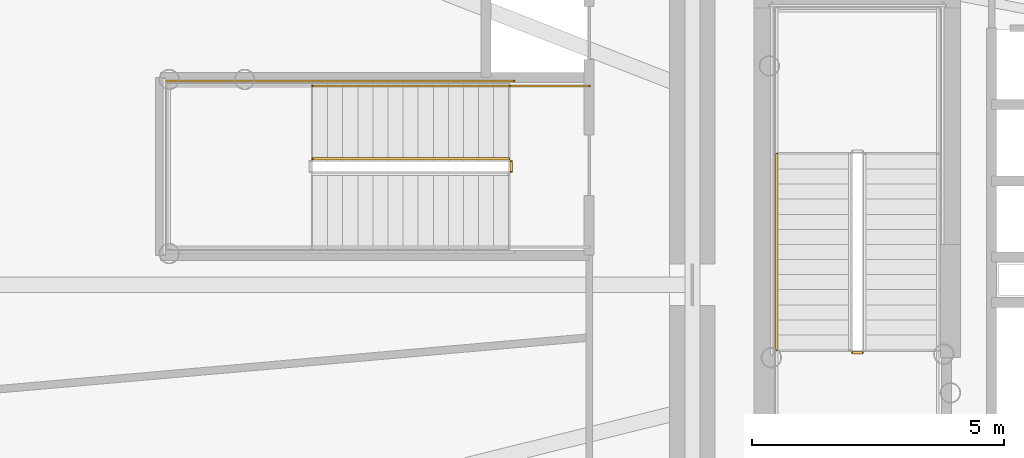
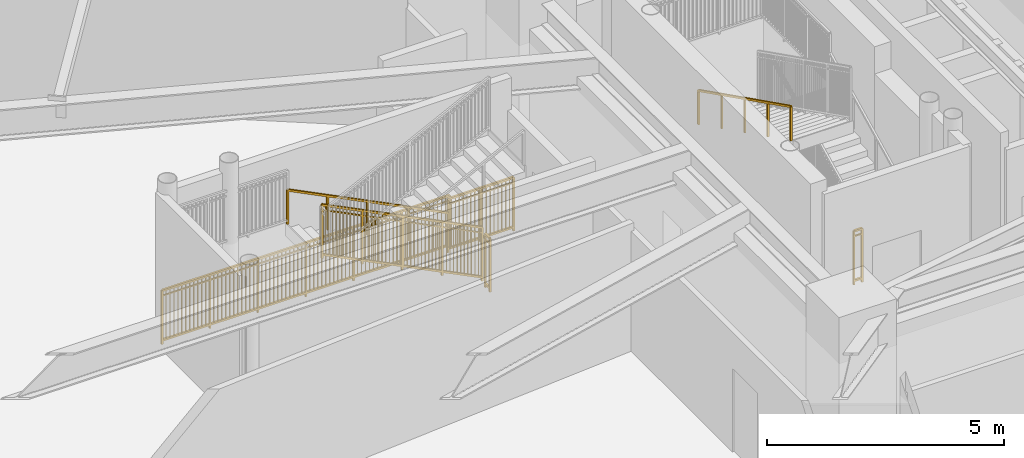
# One storey, part 22 of 30: 7 railings.
"""IFC4 building model written with IfcOpenShell, lengths in metres."""

from ifc_helpers import new_model, si_unit, direction, frame, origin, origin_2d, place, context, subcontext, project, spatial, rectangle, extrude, source, transform, mapped, material, type_object, element, save


model = new_model("IFC4")

# Units and contexts
model_context = context("Model", 3, precision=1e-05, world=origin(), true_north=direction((0.0, 1.0)))
body_context = subcontext(model_context, "Body", "Model", "MODEL_VIEW")
ifc_project = project(units=[si_unit("LENGTHUNIT", "METRE"), si_unit("AREAUNIT", "SQUARE_METRE"), si_unit("VOLUMEUNIT", "CUBIC_METRE"), si_unit("PLANEANGLEUNIT", "RADIAN"), si_unit("MASSUNIT", "GRAM", prefix="KILO")], contexts=[model_context])

# Site, building, storey
site_placement = place(None, origin())
site = spatial("IfcSite", under=ifc_project, at=site_placement, CompositionType="ELEMENT")
building_placement = place(site_placement, origin())
building = spatial("IfcBuilding", under=site, at=building_placement, Name="Linh Dai School and Residence Tower", CompositionType="ELEMENT")
storey_placement = place(building_placement, frame((0.0, 0.0, 10.199951171875)))
storey = spatial("IfcBuildingStorey", under=building, at=storey_placement, Name="L02", CompositionType="ELEMENT", Elevation=10.199951171875)

# Railings
ifc_material_1 = material(Name="Structural Steel S355JR", Category="steel")
railing_type_1 = type_object("IfcRailingType", Name="RL-ST-GUARD-1400", PredefinedType="GUARDRAIL", material=ifc_material_1)
shared_shape_1 = source(origin(), body_context, "Body", "SweptSolid", [
    extrude(rectangle(XDim=0.048095703125, YDim=0.048095703125, at=origin_2d()), frame((0.0, 0.0, 1.3759765625), z_axis=(-1.0, 0.0, 0.0), x_axis=(0.0, -1.0, 0.0)), (0.0, 0.0, 1.0), 0.199951171875),
    extrude(rectangle(XDim=0.048095703125, YDim=0.048095703125, at=origin_2d()), frame((0.0, 0.0, 0.10009765625), z_axis=(-1.0, 0.0, 0.0), x_axis=(0.0, -1.0, 0.0)), (0.0, 0.0, 1.0), 0.199951171875),
    extrude(rectangle(XDim=0.030029296875, YDim=0.030029296875, at=origin_2d()), frame((0.0, 0.0, 1.239990234375), z_axis=(-1.0, 0.0, 0.0), x_axis=(0.0, -1.0, 0.0)), (0.0, 0.0, 1.0), 0.199951171875),
    extrude(rectangle(XDim=0.0419921875, YDim=0.0419921875, at=origin_2d()), origin(), (0.0, 0.0, 1.0), 1.3759765625),
    extrude(rectangle(XDim=0.0419921875, YDim=0.0419921875, at=origin_2d()), frame((-0.199951171875, 0.0, 0.0)), (0.0, 0.0, 1.0), 1.3759765625),
])
railing_1_placement = place(storey_placement, frame((29.429931640625, 25.64990234375, 0.0)))
element("IfcRailing", 1, at=railing_1_placement, inside=storey, type_object=railing_type_1, Name="L02 ST1 stair guard 7", PredefinedType="GUARDRAIL", context=body_context, shape_type="MappedRepresentation", body=[
    mapped(shared_shape_1, transform((0.0, 0.0, 0.0), x_axis=(1.0, 0.0, 0.0), y_axis=(0.0, 1.0, 0.0), z_axis=(0.0, 0.0, 1.0), scale=1.0)),
])
ifc_material_2 = material(Name="Brushed Stainless Steel Handrail", Category="steel")
railing_type_2 = type_object("IfcRailingType", Name="RL-ST-HANDRAIL-900", PredefinedType="HANDRAIL", material=ifc_material_2)
shared_shape_2 = source(origin(), body_context, "Body", "SweptSolid", [
    extrude(rectangle(XDim=0.048095703125, YDim=0.048095703125, at=origin_2d()), frame((0.0, 0.0, 0.8759765625), z_axis=(0.0, -0.894438388696, 0.447191199406), x_axis=(1.0, 0.0, 0.0)), (0.0, 0.0, 1.0), 4.3603515625),
    extrude(rectangle(XDim=0.0419921875, YDim=0.0419921875, at=origin_2d()), origin(), (0.0, 0.0, 1.0), 0.8759765625),
    extrude(rectangle(XDim=0.0419921875, YDim=0.0419921875, at=origin_2d()), frame((0.0, -0.97509765625, 0.487548828125)), (0.0, 0.0, 1.0), 0.8759765625),
    extrude(rectangle(XDim=0.0419921875, YDim=0.0419921875, at=origin_2d()), frame((0.0, -1.9501953125, 0.97509765625)), (0.0, 0.0, 1.0), 0.8759765625),
    extrude(rectangle(XDim=0.0419921875, YDim=0.0419921875, at=origin_2d()), frame((0.0, -2.925048828125, 1.46240234375)), (0.0, 0.0, 1.0), 0.8759765625),
    extrude(rectangle(XDim=0.0419921875, YDim=0.0419921875, at=origin_2d()), frame((0.0, -3.900146484375, 1.949951171875)), (0.0, 0.0, 1.0), 0.8759765625),
])
railing_2_placement = place(storey_placement, frame((27.72998046875, 29.60009765625, 2.25)))
element("IfcRailing", 2, at=railing_2_placement, inside=storey, type_object=railing_type_2, Name="L02 ST1 stair handrail 2", PredefinedType="HANDRAIL", context=body_context, shape_type="MappedRepresentation", body=[
    mapped(shared_shape_2, transform((0.0, 0.0, 0.0), x_axis=(1.0, 0.0, 0.0), y_axis=(0.0, 1.0, 0.0), z_axis=(0.0, 0.0, 1.0), scale=1.0)),
])
shared_shape_3 = source(origin(), body_context, "Body", "SweptSolid", [
    extrude(rectangle(XDim=0.048095703125, YDim=0.048095703125, at=origin_2d()), frame((0.0, 0.0, 1.3759765625), z_axis=(0.0, -1.0, 0.0), x_axis=(1.0, 0.0, 0.0)), (0.0, 0.0, 1.0), 0.199951171875),
    extrude(rectangle(XDim=0.048095703125, YDim=0.048095703125, at=origin_2d()), frame((0.0, 0.0, 0.10009765625), z_axis=(0.0, -1.0, 0.0), x_axis=(1.0, 0.0, 0.0)), (0.0, 0.0, 1.0), 0.199951171875),
    extrude(rectangle(XDim=0.030029296875, YDim=0.030029296875, at=origin_2d()), frame((0.0, 0.0, 1.239990234375), z_axis=(0.0, -1.0, 0.0), x_axis=(1.0, 0.0, 0.0)), (0.0, 0.0, 1.0), 0.199951171875),
    extrude(rectangle(XDim=0.0419921875, YDim=0.0419921875, at=origin_2d()), origin(), (0.0, 0.0, 1.0), 1.3759765625),
    extrude(rectangle(XDim=0.0419921875, YDim=0.0419921875, at=origin_2d()), frame((0.0, -0.199951171875, 0.0)), (0.0, 0.0, 1.0), 1.3759765625),
])
railing_3_placement = place(storey_placement, frame((22.449951171875, 29.449951171875, 0.0)))
element("IfcRailing", 3, at=railing_3_placement, inside=storey, type_object=railing_type_1, Name="L02 STS1 stair guard 7", PredefinedType="GUARDRAIL", context=body_context, shape_type="MappedRepresentation", body=[
    mapped(shared_shape_3, transform((0.0, 0.0, 0.0), x_axis=(1.0, 0.0, 0.0), y_axis=(0.0, 1.0, 0.0), z_axis=(0.0, 0.0, 1.0), scale=1.0)),
])
shared_shape_4 = source(origin(), body_context, "Body", "SweptSolid", [
    extrude(rectangle(XDim=0.048095703125, YDim=0.048095703125, at=origin_2d()), frame((0.0, 0.0, 1.3759765625), z_axis=(-1.0, 0.0, 0.0), x_axis=(0.0, -1.0, 0.0)), (0.0, 0.0, 1.0), 1.60009765625),
    extrude(rectangle(XDim=0.048095703125, YDim=0.048095703125, at=origin_2d()), frame((0.0, 0.0, 0.10009765625), z_axis=(-1.0, 0.0, 0.0), x_axis=(0.0, -1.0, 0.0)), (0.0, 0.0, 1.0), 1.60009765625),
    extrude(rectangle(XDim=0.030029296875, YDim=0.030029296875, at=origin_2d()), frame((0.0, 0.0, 1.239990234375), z_axis=(-1.0, 0.0, 0.0), x_axis=(0.0, -1.0, 0.0)), (0.0, 0.0, 1.0), 1.60009765625),
    extrude(rectangle(XDim=0.02001953125, YDim=0.02001953125, at=origin_2d()), frame((-0.09423828125, 0.0, 0.10009765625)), (0.0, 0.0, 1.0), 1.251708984375),
    extrude(rectangle(XDim=0.02001953125, YDim=0.02001953125, at=origin_2d()), frame((-0.188232421875, 0.0, 0.10009765625)), (0.0, 0.0, 1.0), 1.251708984375),
    extrude(rectangle(XDim=0.02001953125, YDim=0.02001953125, at=origin_2d()), frame((-0.282470703125, 0.0, 0.10009765625)), (0.0, 0.0, 1.0), 1.251708984375),
    extrude(rectangle(XDim=0.02001953125, YDim=0.02001953125, at=origin_2d()), frame((-0.37646484375, 0.0, 0.10009765625)), (0.0, 0.0, 1.0), 1.251708984375),
    extrude(rectangle(XDim=0.02001953125, YDim=0.02001953125, at=origin_2d()), frame((-0.470703125, 0.0, 0.10009765625)), (0.0, 0.0, 1.0), 1.251708984375),
    extrude(rectangle(XDim=0.02001953125, YDim=0.02001953125, at=origin_2d()), frame((-0.564697265625, 0.0, 0.10009765625)), (0.0, 0.0, 1.0), 1.251708984375),
    extrude(rectangle(XDim=0.02001953125, YDim=0.02001953125, at=origin_2d()), frame((-0.658935546875, 0.0, 0.10009765625)), (0.0, 0.0, 1.0), 1.251708984375),
    extrude(rectangle(XDim=0.02001953125, YDim=0.02001953125, at=origin_2d()), frame((-0.7529296875, 0.0, 0.10009765625)), (0.0, 0.0, 1.0), 1.251708984375),
    extrude(rectangle(XDim=0.02001953125, YDim=0.02001953125, at=origin_2d()), frame((-0.84716796875, 0.0, 0.10009765625)), (0.0, 0.0, 1.0), 1.251708984375),
    extrude(rectangle(XDim=0.02001953125, YDim=0.02001953125, at=origin_2d()), frame((-0.941162109375, 0.0, 0.10009765625)), (0.0, 0.0, 1.0), 1.251708984375),
    extrude(rectangle(XDim=0.02001953125, YDim=0.02001953125, at=origin_2d()), frame((-1.035400390625, 0.0, 0.10009765625)), (0.0, 0.0, 1.0), 1.251708984375),
    extrude(rectangle(XDim=0.02001953125, YDim=0.02001953125, at=origin_2d()), frame((-1.12939453125, 0.0, 0.10009765625)), (0.0, 0.0, 1.0), 1.251708984375),
    extrude(rectangle(XDim=0.02001953125, YDim=0.02001953125, at=origin_2d()), frame((-1.2236328125, 0.0, 0.10009765625)), (0.0, 0.0, 1.0), 1.251708984375),
    extrude(rectangle(XDim=0.02001953125, YDim=0.02001953125, at=origin_2d()), frame((-1.317626953125, 0.0, 0.10009765625)), (0.0, 0.0, 1.0), 1.251708984375),
    extrude(rectangle(XDim=0.02001953125, YDim=0.02001953125, at=origin_2d()), frame((-1.411865234375, 0.0, 0.10009765625)), (0.0, 0.0, 1.0), 1.251708984375),
    extrude(rectangle(XDim=0.02001953125, YDim=0.02001953125, at=origin_2d()), frame((-1.505859375, 0.0, 0.10009765625)), (0.0, 0.0, 1.0), 1.251708984375),
    extrude(rectangle(XDim=0.0419921875, YDim=0.0419921875, at=origin_2d()), origin(), (0.0, 0.0, 1.0), 1.3759765625),
    extrude(rectangle(XDim=0.0419921875, YDim=0.0419921875, at=origin_2d()), frame((-0.800048828125, 0.0, 0.0)), (0.0, 0.0, 1.0), 1.3759765625),
    extrude(rectangle(XDim=0.0419921875, YDim=0.0419921875, at=origin_2d()), frame((-1.60009765625, 0.0, 0.0)), (0.0, 0.0, 1.0), 1.3759765625),
])
railing_4_placement = place(storey_placement, frame((24.0, 30.949951171875, 0.0)))
element("IfcRailing", 4, at=railing_4_placement, inside=storey, type_object=railing_type_1, Name="L02 STS1 stair guard 8", PredefinedType="GUARDRAIL", context=body_context, shape_type="MappedRepresentation", body=[
    mapped(shared_shape_4, transform((0.0, 0.0, 0.0), x_axis=(1.0, 0.0, 0.0), y_axis=(0.0, 1.0, 0.0), z_axis=(0.0, 0.0, 1.0), scale=1.0)),
])
shared_shape_5 = source(origin(), body_context, "Body", "SweptSolid", [
    extrude(rectangle(XDim=0.048095703125, YDim=0.048095703125, at=origin_2d()), frame((0.0, 0.0, 1.3759765625), z_axis=(-1.0, 0.0, 0.0), x_axis=(0.0, -1.0, 0.0)), (0.0, 0.0, 1.0), 7.0),
    extrude(rectangle(XDim=0.048095703125, YDim=0.048095703125, at=origin_2d()), frame((0.0, 0.0, 0.10009765625), z_axis=(-1.0, 0.0, 0.0), x_axis=(0.0, -1.0, 0.0)), (0.0, 0.0, 1.0), 7.0),
    extrude(rectangle(XDim=0.030029296875, YDim=0.030029296875, at=origin_2d()), frame((0.0, 0.0, 1.239990234375), z_axis=(-1.0, 0.0, 0.0), x_axis=(0.0, -1.0, 0.0)), (0.0, 0.0, 1.0), 7.0),
    extrude(rectangle(XDim=0.02001953125, YDim=0.02001953125, at=origin_2d()), frame((-0.09716796875, 0.0, 0.10009765625)), (0.0, 0.0, 1.0), 1.251708984375),
    extrude(rectangle(XDim=0.02001953125, YDim=0.02001953125, at=origin_2d()), frame((-0.1943359375, 0.0, 0.10009765625)), (0.0, 0.0, 1.0), 1.251708984375),
    extrude(rectangle(XDim=0.02001953125, YDim=0.02001953125, at=origin_2d()), frame((-0.291748046875, 0.0, 0.10009765625)), (0.0, 0.0, 1.0), 1.251708984375),
    extrude(rectangle(XDim=0.02001953125, YDim=0.02001953125, at=origin_2d()), frame((-0.388916015625, 0.0, 0.10009765625)), (0.0, 0.0, 1.0), 1.251708984375),
    extrude(rectangle(XDim=0.02001953125, YDim=0.02001953125, at=origin_2d()), frame((-0.486083984375, 0.0, 0.10009765625)), (0.0, 0.0, 1.0), 1.251708984375),
    extrude(rectangle(XDim=0.02001953125, YDim=0.02001953125, at=origin_2d()), frame((-0.583251953125, 0.0, 0.10009765625)), (0.0, 0.0, 1.0), 1.251708984375),
    extrude(rectangle(XDim=0.02001953125, YDim=0.02001953125, at=origin_2d()), frame((-0.6806640625, 0.0, 0.10009765625)), (0.0, 0.0, 1.0), 1.251708984375),
    extrude(rectangle(XDim=0.02001953125, YDim=0.02001953125, at=origin_2d()), frame((-0.77783203125, 0.0, 0.10009765625)), (0.0, 0.0, 1.0), 1.251708984375),
    extrude(rectangle(XDim=0.02001953125, YDim=0.02001953125, at=origin_2d()), frame((-0.875, 0.0, 0.10009765625)), (0.0, 0.0, 1.0), 1.251708984375),
    extrude(rectangle(XDim=0.02001953125, YDim=0.02001953125, at=origin_2d()), frame((-0.97216796875, 0.0, 0.10009765625)), (0.0, 0.0, 1.0), 1.251708984375),
    extrude(rectangle(XDim=0.02001953125, YDim=0.02001953125, at=origin_2d()), frame((-1.0693359375, 0.0, 0.10009765625)), (0.0, 0.0, 1.0), 1.251708984375),
    extrude(rectangle(XDim=0.02001953125, YDim=0.02001953125, at=origin_2d()), frame((-1.263916015625, 0.0, 0.10009765625)), (0.0, 0.0, 1.0), 1.251708984375),
    extrude(rectangle(XDim=0.02001953125, YDim=0.02001953125, at=origin_2d()), frame((-1.361083984375, 0.0, 0.10009765625)), (0.0, 0.0, 1.0), 1.251708984375),
    extrude(rectangle(XDim=0.02001953125, YDim=0.02001953125, at=origin_2d()), frame((-1.458251953125, 0.0, 0.10009765625)), (0.0, 0.0, 1.0), 1.251708984375),
    extrude(rectangle(XDim=0.02001953125, YDim=0.02001953125, at=origin_2d()), frame((-1.5556640625, 0.0, 0.10009765625)), (0.0, 0.0, 1.0), 1.251708984375),
    extrude(rectangle(XDim=0.02001953125, YDim=0.02001953125, at=origin_2d()), frame((-1.65283203125, 0.0, 0.10009765625)), (0.0, 0.0, 1.0), 1.251708984375),
    extrude(rectangle(XDim=0.02001953125, YDim=0.02001953125, at=origin_2d()), frame((-1.75, 0.0, 0.10009765625)), (0.0, 0.0, 1.0), 1.251708984375),
    extrude(rectangle(XDim=0.02001953125, YDim=0.02001953125, at=origin_2d()), frame((-1.84716796875, 0.0, 0.10009765625)), (0.0, 0.0, 1.0), 1.251708984375),
    extrude(rectangle(XDim=0.02001953125, YDim=0.02001953125, at=origin_2d()), frame((-1.9443359375, 0.0, 0.10009765625)), (0.0, 0.0, 1.0), 1.251708984375),
    extrude(rectangle(XDim=0.02001953125, YDim=0.02001953125, at=origin_2d()), frame((-2.041748046875, 0.0, 0.10009765625)), (0.0, 0.0, 1.0), 1.251708984375),
    extrude(rectangle(XDim=0.02001953125, YDim=0.02001953125, at=origin_2d()), frame((-2.138916015625, 0.0, 0.10009765625)), (0.0, 0.0, 1.0), 1.251708984375),
    extrude(rectangle(XDim=0.02001953125, YDim=0.02001953125, at=origin_2d()), frame((-2.236083984375, 0.0, 0.10009765625)), (0.0, 0.0, 1.0), 1.251708984375),
    extrude(rectangle(XDim=0.02001953125, YDim=0.02001953125, at=origin_2d()), frame((-2.4306640625, 0.0, 0.10009765625)), (0.0, 0.0, 1.0), 1.251708984375),
    extrude(rectangle(XDim=0.02001953125, YDim=0.02001953125, at=origin_2d()), frame((-2.52783203125, 0.0, 0.10009765625)), (0.0, 0.0, 1.0), 1.251708984375),
    extrude(rectangle(XDim=0.02001953125, YDim=0.02001953125, at=origin_2d()), frame((-2.625, 0.0, 0.10009765625)), (0.0, 0.0, 1.0), 1.251708984375),
    extrude(rectangle(XDim=0.02001953125, YDim=0.02001953125, at=origin_2d()), frame((-2.72216796875, 0.0, 0.10009765625)), (0.0, 0.0, 1.0), 1.251708984375),
    extrude(rectangle(XDim=0.02001953125, YDim=0.02001953125, at=origin_2d()), frame((-2.8193359375, 0.0, 0.10009765625)), (0.0, 0.0, 1.0), 1.251708984375),
    extrude(rectangle(XDim=0.02001953125, YDim=0.02001953125, at=origin_2d()), frame((-2.916748046875, 0.0, 0.10009765625)), (0.0, 0.0, 1.0), 1.251708984375),
    extrude(rectangle(XDim=0.02001953125, YDim=0.02001953125, at=origin_2d()), frame((-3.013916015625, 0.0, 0.10009765625)), (0.0, 0.0, 1.0), 1.251708984375),
    extrude(rectangle(XDim=0.02001953125, YDim=0.02001953125, at=origin_2d()), frame((-3.111083984375, 0.0, 0.10009765625)), (0.0, 0.0, 1.0), 1.251708984375),
    extrude(rectangle(XDim=0.02001953125, YDim=0.02001953125, at=origin_2d()), frame((-3.208251953125, 0.0, 0.10009765625)), (0.0, 0.0, 1.0), 1.251708984375),
    extrude(rectangle(XDim=0.02001953125, YDim=0.02001953125, at=origin_2d()), frame((-3.3056640625, 0.0, 0.10009765625)), (0.0, 0.0, 1.0), 1.251708984375),
    extrude(rectangle(XDim=0.02001953125, YDim=0.02001953125, at=origin_2d()), frame((-3.40283203125, 0.0, 0.10009765625)), (0.0, 0.0, 1.0), 1.251708984375),
    extrude(rectangle(XDim=0.02001953125, YDim=0.02001953125, at=origin_2d()), frame((-3.59716796875, 0.0, 0.10009765625)), (0.0, 0.0, 1.0), 1.251708984375),
    extrude(rectangle(XDim=0.02001953125, YDim=0.02001953125, at=origin_2d()), frame((-3.6943359375, 0.0, 0.10009765625)), (0.0, 0.0, 1.0), 1.251708984375),
    extrude(rectangle(XDim=0.02001953125, YDim=0.02001953125, at=origin_2d()), frame((-3.791748046875, 0.0, 0.10009765625)), (0.0, 0.0, 1.0), 1.251708984375),
    extrude(rectangle(XDim=0.02001953125, YDim=0.02001953125, at=origin_2d()), frame((-3.888916015625, 0.0, 0.10009765625)), (0.0, 0.0, 1.0), 1.251708984375),
    extrude(rectangle(XDim=0.02001953125, YDim=0.02001953125, at=origin_2d()), frame((-3.986083984375, 0.0, 0.10009765625)), (0.0, 0.0, 1.0), 1.251708984375),
    extrude(rectangle(XDim=0.02001953125, YDim=0.02001953125, at=origin_2d()), frame((-4.083251953125, 0.0, 0.10009765625)), (0.0, 0.0, 1.0), 1.251708984375),
    extrude(rectangle(XDim=0.02001953125, YDim=0.02001953125, at=origin_2d()), frame((-4.1806640625, 0.0, 0.10009765625)), (0.0, 0.0, 1.0), 1.251708984375),
    extrude(rectangle(XDim=0.02001953125, YDim=0.02001953125, at=origin_2d()), frame((-4.27783203125, 0.0, 0.10009765625)), (0.0, 0.0, 1.0), 1.251708984375),
    extrude(rectangle(XDim=0.02001953125, YDim=0.02001953125, at=origin_2d()), frame((-4.375, 0.0, 0.10009765625)), (0.0, 0.0, 1.0), 1.251708984375),
    extrude(rectangle(XDim=0.02001953125, YDim=0.02001953125, at=origin_2d()), frame((-4.47216796875, 0.0, 0.10009765625)), (0.0, 0.0, 1.0), 1.251708984375),
    extrude(rectangle(XDim=0.02001953125, YDim=0.02001953125, at=origin_2d()), frame((-4.5693359375, 0.0, 0.10009765625)), (0.0, 0.0, 1.0), 1.251708984375),
    extrude(rectangle(XDim=0.02001953125, YDim=0.02001953125, at=origin_2d()), frame((-4.763916015625, 0.0, 0.10009765625)), (0.0, 0.0, 1.0), 1.251708984375),
    extrude(rectangle(XDim=0.02001953125, YDim=0.02001953125, at=origin_2d()), frame((-4.861083984375, 0.0, 0.10009765625)), (0.0, 0.0, 1.0), 1.251708984375),
    extrude(rectangle(XDim=0.02001953125, YDim=0.02001953125, at=origin_2d()), frame((-4.958251953125, 0.0, 0.10009765625)), (0.0, 0.0, 1.0), 1.251708984375),
    extrude(rectangle(XDim=0.02001953125, YDim=0.02001953125, at=origin_2d()), frame((-5.0556640625, 0.0, 0.10009765625)), (0.0, 0.0, 1.0), 1.251708984375),
    extrude(rectangle(XDim=0.02001953125, YDim=0.02001953125, at=origin_2d()), frame((-5.15283203125, 0.0, 0.10009765625)), (0.0, 0.0, 1.0), 1.251708984375),
    extrude(rectangle(XDim=0.02001953125, YDim=0.02001953125, at=origin_2d()), frame((-5.25, 0.0, 0.10009765625)), (0.0, 0.0, 1.0), 1.251708984375),
    extrude(rectangle(XDim=0.02001953125, YDim=0.02001953125, at=origin_2d()), frame((-5.34716796875, 0.0, 0.10009765625)), (0.0, 0.0, 1.0), 1.251708984375),
    extrude(rectangle(XDim=0.02001953125, YDim=0.02001953125, at=origin_2d()), frame((-5.4443359375, 0.0, 0.10009765625)), (0.0, 0.0, 1.0), 1.251708984375),
    extrude(rectangle(XDim=0.02001953125, YDim=0.02001953125, at=origin_2d()), frame((-5.541748046875, 0.0, 0.10009765625)), (0.0, 0.0, 1.0), 1.251708984375),
    extrude(rectangle(XDim=0.02001953125, YDim=0.02001953125, at=origin_2d()), frame((-5.638916015625, 0.0, 0.10009765625)), (0.0, 0.0, 1.0), 1.251708984375),
    extrude(rectangle(XDim=0.02001953125, YDim=0.02001953125, at=origin_2d()), frame((-5.736083984375, 0.0, 0.10009765625)), (0.0, 0.0, 1.0), 1.251708984375),
    extrude(rectangle(XDim=0.02001953125, YDim=0.02001953125, at=origin_2d()), frame((-5.9306640625, 0.0, 0.10009765625)), (0.0, 0.0, 1.0), 1.251708984375),
    extrude(rectangle(XDim=0.02001953125, YDim=0.02001953125, at=origin_2d()), frame((-6.02783203125, 0.0, 0.10009765625)), (0.0, 0.0, 1.0), 1.251708984375),
    extrude(rectangle(XDim=0.02001953125, YDim=0.02001953125, at=origin_2d()), frame((-6.125, 0.0, 0.10009765625)), (0.0, 0.0, 1.0), 1.251708984375),
    extrude(rectangle(XDim=0.02001953125, YDim=0.02001953125, at=origin_2d()), frame((-6.22216796875, 0.0, 0.10009765625)), (0.0, 0.0, 1.0), 1.251708984375),
    extrude(rectangle(XDim=0.02001953125, YDim=0.02001953125, at=origin_2d()), frame((-6.3193359375, 0.0, 0.10009765625)), (0.0, 0.0, 1.0), 1.251708984375),
    extrude(rectangle(XDim=0.02001953125, YDim=0.02001953125, at=origin_2d()), frame((-6.416748046875, 0.0, 0.10009765625)), (0.0, 0.0, 1.0), 1.251708984375),
    extrude(rectangle(XDim=0.02001953125, YDim=0.02001953125, at=origin_2d()), frame((-6.513916015625, 0.0, 0.10009765625)), (0.0, 0.0, 1.0), 1.251708984375),
    extrude(rectangle(XDim=0.02001953125, YDim=0.02001953125, at=origin_2d()), frame((-6.611083984375, 0.0, 0.10009765625)), (0.0, 0.0, 1.0), 1.251708984375),
    extrude(rectangle(XDim=0.02001953125, YDim=0.02001953125, at=origin_2d()), frame((-6.708251953125, 0.0, 0.10009765625)), (0.0, 0.0, 1.0), 1.251708984375),
    extrude(rectangle(XDim=0.02001953125, YDim=0.02001953125, at=origin_2d()), frame((-6.8056640625, 0.0, 0.10009765625)), (0.0, 0.0, 1.0), 1.251708984375),
    extrude(rectangle(XDim=0.02001953125, YDim=0.02001953125, at=origin_2d()), frame((-6.90283203125, 0.0, 0.10009765625)), (0.0, 0.0, 1.0), 1.251708984375),
    extrude(rectangle(XDim=0.0419921875, YDim=0.0419921875, at=origin_2d()), origin(), (0.0, 0.0, 1.0), 1.3759765625),
    extrude(rectangle(XDim=0.0419921875, YDim=0.0419921875, at=origin_2d()), frame((-1.166748046875, 0.0, 0.0)), (0.0, 0.0, 1.0), 1.3759765625),
    extrude(rectangle(XDim=0.0419921875, YDim=0.0419921875, at=origin_2d()), frame((-2.333251953125, 0.0, 0.0)), (0.0, 0.0, 1.0), 1.3759765625),
    extrude(rectangle(XDim=0.0419921875, YDim=0.0419921875, at=origin_2d()), frame((-3.5, 0.0, 0.0)), (0.0, 0.0, 1.0), 1.3759765625),
    extrude(rectangle(XDim=0.0419921875, YDim=0.0419921875, at=origin_2d()), frame((-4.666748046875, 0.0, 0.0)), (0.0, 0.0, 1.0), 1.3759765625),
    extrude(rectangle(XDim=0.0419921875, YDim=0.0419921875, at=origin_2d()), frame((-5.833251953125, 0.0, 0.0)), (0.0, 0.0, 1.0), 1.3759765625),
    extrude(rectangle(XDim=0.0419921875, YDim=0.0419921875, at=origin_2d()), frame((-7.0, 0.0, 0.0)), (0.0, 0.0, 1.0), 1.3759765625),
])
railing_5_placement = place(storey_placement, frame((22.5, 31.050048828125, 0.0)))
element("IfcRailing", 5, at=railing_5_placement, inside=storey, type_object=railing_type_1, Name="L02 STS1 stair guard 10", PredefinedType="GUARDRAIL", context=body_context, shape_type="MappedRepresentation", body=[
    mapped(shared_shape_5, transform((0.0, 0.0, 0.0), x_axis=(1.0, 0.0, 0.0), y_axis=(0.0, 1.0, 0.0), z_axis=(0.0, 0.0, 1.0), scale=1.0)),
])
shared_shape_6 = source(origin(), body_context, "Body", "SweptSolid", [
    extrude(rectangle(XDim=0.048095703125, YDim=0.048095703125, at=origin_2d()), frame((0.0, 0.0, 1.3759765625), z_axis=(-0.894427191, 0.0, 0.4472135955), x_axis=(0.0, -1.0, 0.0)), (0.0, 0.0, 1.0), 4.360107421875),
    extrude(rectangle(XDim=0.048095703125, YDim=0.048095703125, at=origin_2d()), frame((0.0, 0.0, 0.10009765625), z_axis=(-0.894427191, 0.0, 0.4472135955), x_axis=(0.0, -1.0, 0.0)), (0.0, 0.0, 1.0), 4.360107421875),
    extrude(rectangle(XDim=0.030029296875, YDim=0.030029296875, at=origin_2d()), frame((0.0, 0.0, 1.239990234375), z_axis=(-0.894427191, 0.0, 0.4472135955), x_axis=(0.0, -1.0, 0.0)), (0.0, 0.0, 1.0), 4.360107421875),
    extrude(rectangle(XDim=0.02001953125, YDim=0.02001953125, at=origin_2d()), frame((-0.086669921875, 0.0, 0.143310546875)), (0.0, 0.0, 1.0), 1.251708984375),
    extrude(rectangle(XDim=0.02001953125, YDim=0.02001953125, at=origin_2d()), frame((-0.17333984375, 0.0, 0.186767578125)), (0.0, 0.0, 1.0), 1.251708984375),
    extrude(rectangle(XDim=0.02001953125, YDim=0.02001953125, at=origin_2d()), frame((-0.260009765625, 0.0, 0.22998046875)), (0.0, 0.0, 1.0), 1.251708984375),
    extrude(rectangle(XDim=0.02001953125, YDim=0.02001953125, at=origin_2d()), frame((-0.3466796875, 0.0, 0.2734375)), (0.0, 0.0, 1.0), 1.251708984375),
    extrude(rectangle(XDim=0.02001953125, YDim=0.02001953125, at=origin_2d()), frame((-0.433349609375, 0.0, 0.316650390625)), (0.0, 0.0, 1.0), 1.251708984375),
    extrude(rectangle(XDim=0.02001953125, YDim=0.02001953125, at=origin_2d()), frame((-0.52001953125, 0.0, 0.360107421875)), (0.0, 0.0, 1.0), 1.251708984375),
    extrude(rectangle(XDim=0.02001953125, YDim=0.02001953125, at=origin_2d()), frame((-0.606689453125, 0.0, 0.4033203125)), (0.0, 0.0, 1.0), 1.251708984375),
    extrude(rectangle(XDim=0.02001953125, YDim=0.02001953125, at=origin_2d()), frame((-0.693359375, 0.0, 0.44677734375)), (0.0, 0.0, 1.0), 1.251708984375),
    extrude(rectangle(XDim=0.02001953125, YDim=0.02001953125, at=origin_2d()), frame((-0.780029296875, 0.0, 0.489990234375)), (0.0, 0.0, 1.0), 1.251708984375),
    extrude(rectangle(XDim=0.02001953125, YDim=0.02001953125, at=origin_2d()), frame((-0.86669921875, 0.0, 0.533447265625)), (0.0, 0.0, 1.0), 1.251708984375),
    extrude(rectangle(XDim=0.02001953125, YDim=0.02001953125, at=origin_2d()), frame((-1.0400390625, 0.0, 0.6201171875)), (0.0, 0.0, 1.0), 1.251708984375),
    extrude(rectangle(XDim=0.02001953125, YDim=0.02001953125, at=origin_2d()), frame((-1.126708984375, 0.0, 0.663330078125)), (0.0, 0.0, 1.0), 1.251708984375),
    extrude(rectangle(XDim=0.02001953125, YDim=0.02001953125, at=origin_2d()), frame((-1.21337890625, 0.0, 0.706787109375)), (0.0, 0.0, 1.0), 1.251708984375),
    extrude(rectangle(XDim=0.02001953125, YDim=0.02001953125, at=origin_2d()), frame((-1.300048828125, 0.0, 0.75)), (0.0, 0.0, 1.0), 1.251708984375),
    extrude(rectangle(XDim=0.02001953125, YDim=0.02001953125, at=origin_2d()), frame((-1.38671875, 0.0, 0.79345703125)), (0.0, 0.0, 1.0), 1.251708984375),
    extrude(rectangle(XDim=0.02001953125, YDim=0.02001953125, at=origin_2d()), frame((-1.473388671875, 0.0, 0.836669921875)), (0.0, 0.0, 1.0), 1.251708984375),
    extrude(rectangle(XDim=0.02001953125, YDim=0.02001953125, at=origin_2d()), frame((-1.56005859375, 0.0, 0.880126953125)), (0.0, 0.0, 1.0), 1.251708984375),
    extrude(rectangle(XDim=0.02001953125, YDim=0.02001953125, at=origin_2d()), frame((-1.646728515625, 0.0, 0.92333984375)), (0.0, 0.0, 1.0), 1.251708984375),
    extrude(rectangle(XDim=0.02001953125, YDim=0.02001953125, at=origin_2d()), frame((-1.7333984375, 0.0, 0.966796875)), (0.0, 0.0, 1.0), 1.251708984375),
    extrude(rectangle(XDim=0.02001953125, YDim=0.02001953125, at=origin_2d()), frame((-1.820068359375, 0.0, 1.010009765625)), (0.0, 0.0, 1.0), 1.251708984375),
    extrude(rectangle(XDim=0.02001953125, YDim=0.02001953125, at=origin_2d()), frame((-1.90673828125, 0.0, 1.053466796875)), (0.0, 0.0, 1.0), 1.251708984375),
    extrude(rectangle(XDim=0.02001953125, YDim=0.02001953125, at=origin_2d()), frame((-1.9931640625, 0.0, 1.0966796875)), (0.0, 0.0, 1.0), 1.251708984375),
    extrude(rectangle(XDim=0.02001953125, YDim=0.02001953125, at=origin_2d()), frame((-2.079833984375, 0.0, 1.14013671875)), (0.0, 0.0, 1.0), 1.251708984375),
    extrude(rectangle(XDim=0.02001953125, YDim=0.02001953125, at=origin_2d()), frame((-2.16650390625, 0.0, 1.183349609375)), (0.0, 0.0, 1.0), 1.251708984375),
    extrude(rectangle(XDim=0.02001953125, YDim=0.02001953125, at=origin_2d()), frame((-2.253173828125, 0.0, 1.226806640625)), (0.0, 0.0, 1.0), 1.251708984375),
    extrude(rectangle(XDim=0.02001953125, YDim=0.02001953125, at=origin_2d()), frame((-2.33984375, 0.0, 1.27001953125)), (0.0, 0.0, 1.0), 1.251708984375),
    extrude(rectangle(XDim=0.02001953125, YDim=0.02001953125, at=origin_2d()), frame((-2.426513671875, 0.0, 1.3134765625)), (0.0, 0.0, 1.0), 1.251708984375),
    extrude(rectangle(XDim=0.02001953125, YDim=0.02001953125, at=origin_2d()), frame((-2.51318359375, 0.0, 1.356689453125)), (0.0, 0.0, 1.0), 1.251708984375),
    extrude(rectangle(XDim=0.02001953125, YDim=0.02001953125, at=origin_2d()), frame((-2.599853515625, 0.0, 1.400146484375)), (0.0, 0.0, 1.0), 1.251708984375),
    extrude(rectangle(XDim=0.02001953125, YDim=0.02001953125, at=origin_2d()), frame((-2.6865234375, 0.0, 1.443359375)), (0.0, 0.0, 1.0), 1.251708984375),
    extrude(rectangle(XDim=0.02001953125, YDim=0.02001953125, at=origin_2d()), frame((-2.773193359375, 0.0, 1.48681640625)), (0.0, 0.0, 1.0), 1.251708984375),
    extrude(rectangle(XDim=0.02001953125, YDim=0.02001953125, at=origin_2d()), frame((-2.85986328125, 0.0, 1.530029296875)), (0.0, 0.0, 1.0), 1.251708984375),
    extrude(rectangle(XDim=0.02001953125, YDim=0.02001953125, at=origin_2d()), frame((-3.033203125, 0.0, 1.61669921875)), (0.0, 0.0, 1.0), 1.251708984375),
    extrude(rectangle(XDim=0.02001953125, YDim=0.02001953125, at=origin_2d()), frame((-3.119873046875, 0.0, 1.66015625)), (0.0, 0.0, 1.0), 1.251708984375),
    extrude(rectangle(XDim=0.02001953125, YDim=0.02001953125, at=origin_2d()), frame((-3.20654296875, 0.0, 1.703369140625)), (0.0, 0.0, 1.0), 1.251708984375),
    extrude(rectangle(XDim=0.02001953125, YDim=0.02001953125, at=origin_2d()), frame((-3.293212890625, 0.0, 1.746826171875)), (0.0, 0.0, 1.0), 1.251708984375),
    extrude(rectangle(XDim=0.02001953125, YDim=0.02001953125, at=origin_2d()), frame((-3.3798828125, 0.0, 1.7900390625)), (0.0, 0.0, 1.0), 1.251708984375),
    extrude(rectangle(XDim=0.02001953125, YDim=0.02001953125, at=origin_2d()), frame((-3.466552734375, 0.0, 1.83349609375)), (0.0, 0.0, 1.0), 1.251708984375),
    extrude(rectangle(XDim=0.02001953125, YDim=0.02001953125, at=origin_2d()), frame((-3.55322265625, 0.0, 1.876708984375)), (0.0, 0.0, 1.0), 1.251708984375),
    extrude(rectangle(XDim=0.02001953125, YDim=0.02001953125, at=origin_2d()), frame((-3.639892578125, 0.0, 1.920166015625)), (0.0, 0.0, 1.0), 1.251708984375),
    extrude(rectangle(XDim=0.02001953125, YDim=0.02001953125, at=origin_2d()), frame((-3.7265625, 0.0, 1.96337890625)), (0.0, 0.0, 1.0), 1.251708984375),
    extrude(rectangle(XDim=0.02001953125, YDim=0.02001953125, at=origin_2d()), frame((-3.813232421875, 0.0, 2.0068359375)), (0.0, 0.0, 1.0), 1.251708984375),
    extrude(rectangle(XDim=0.0419921875, YDim=0.0419921875, at=origin_2d()), origin(), (0.0, 0.0, 1.0), 1.3759765625),
    extrude(rectangle(XDim=0.0419921875, YDim=0.0419921875, at=origin_2d()), frame((-0.97509765625, 0.0, 0.487548828125)), (0.0, 0.0, 1.0), 1.3759765625),
    extrude(rectangle(XDim=0.0419921875, YDim=0.0419921875, at=origin_2d()), frame((-1.949951171875, 0.0, 0.97509765625)), (0.0, 0.0, 1.0), 1.3759765625),
    extrude(rectangle(XDim=0.0419921875, YDim=0.0419921875, at=origin_2d()), frame((-2.9248046875, 0.0, 1.46240234375)), (0.0, 0.0, 1.0), 1.3759765625),
    extrude(rectangle(XDim=0.0419921875, YDim=0.0419921875, at=origin_2d()), frame((-3.89990234375, 0.0, 1.949951171875)), (0.0, 0.0, 1.0), 1.3759765625),
])
railing_6_placement = place(storey_placement, frame((22.39990234375, 29.5, 0.150146484375)))
element("IfcRailing", 6, at=railing_6_placement, inside=storey, type_object=railing_type_1, Name="L02 STS1 stair guard 1", PredefinedType="GUARDRAIL", context=body_context, shape_type="MappedRepresentation", body=[
    mapped(shared_shape_6, transform((0.0, 0.0, 0.0), x_axis=(1.0, 0.0, 0.0), y_axis=(0.0, 1.0, 0.0), z_axis=(0.0, 0.0, 1.0), scale=1.0)),
])
shared_shape_7 = source(origin(), body_context, "Body", "SweptSolid", [
    extrude(rectangle(XDim=0.048095703125, YDim=0.048095703125, at=origin_2d()), frame((0.0, 0.0, 0.8759765625), z_axis=(-0.894427191, 0.0, 0.4472135955), x_axis=(0.0, -1.0, 0.0)), (0.0, 0.0, 1.0), 4.360107421875),
    extrude(rectangle(XDim=0.0419921875, YDim=0.0419921875, at=origin_2d()), origin(), (0.0, 0.0, 1.0), 0.8759765625),
    extrude(rectangle(XDim=0.0419921875, YDim=0.0419921875, at=origin_2d()), frame((-0.97509765625, 0.0, 0.487548828125)), (0.0, 0.0, 1.0), 0.8759765625),
    extrude(rectangle(XDim=0.0419921875, YDim=0.0419921875, at=origin_2d()), frame((-1.949951171875, 0.0, 0.97509765625)), (0.0, 0.0, 1.0), 0.8759765625),
    extrude(rectangle(XDim=0.0419921875, YDim=0.0419921875, at=origin_2d()), frame((-2.9248046875, 0.0, 1.46240234375)), (0.0, 0.0, 1.0), 0.8759765625),
    extrude(rectangle(XDim=0.0419921875, YDim=0.0419921875, at=origin_2d()), frame((-3.89990234375, 0.0, 1.949951171875)), (0.0, 0.0, 1.0), 0.8759765625),
])
railing_7_placement = place(storey_placement, frame((22.39990234375, 30.949951171875, 0.150146484375)))
element("IfcRailing", 7, at=railing_7_placement, inside=storey, type_object=railing_type_2, Name="L02 STS1 stair handrail 1", PredefinedType="HANDRAIL", context=body_context, shape_type="MappedRepresentation", body=[
    mapped(shared_shape_7, transform((0.0, 0.0, 0.0), x_axis=(1.0, 0.0, 0.0), y_axis=(0.0, 1.0, 0.0), z_axis=(0.0, 0.0, 1.0), scale=1.0)),
])

save(model, "model.ifc")
